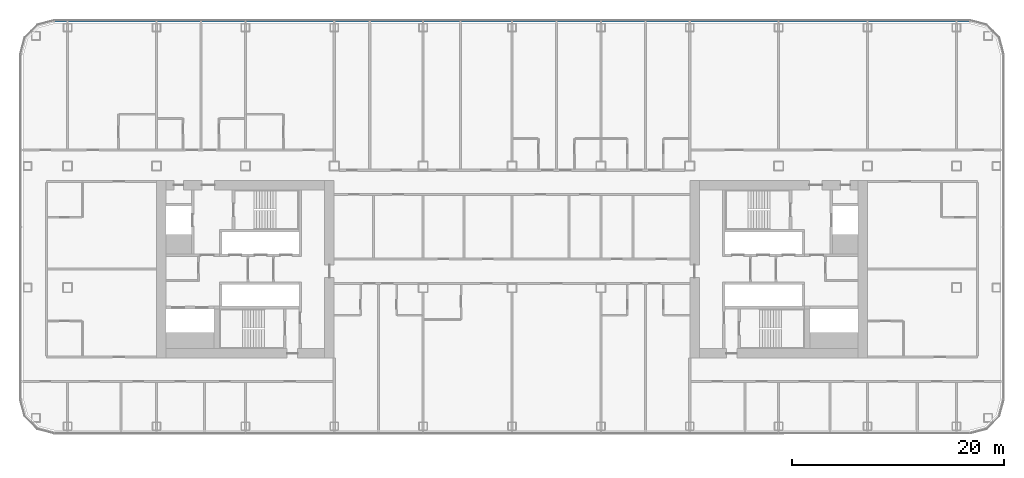
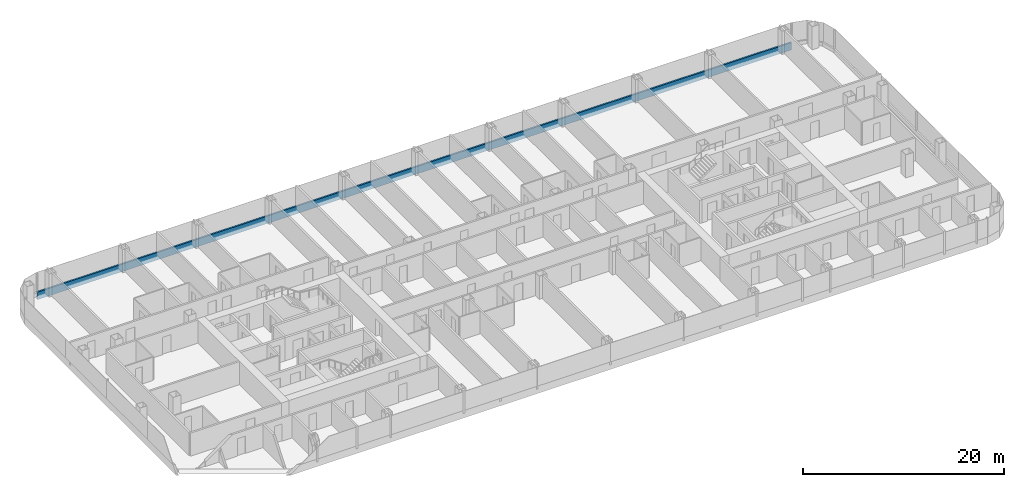
# One storey, part 9 of 29: 1 member, 1 element without a shape of its own.
"""IFC4 building model written with IfcOpenShell, lengths in metres."""

from ifc_helpers import new_model, si_unit, direction, frame, origin, origin_2d, place, context, subcontext, project, spatial, rectangle, extrude, material, layer, layer_set, material_profile, profile_set, type_object, element, aggregate, save


model = new_model("IFC4")

# Units and contexts
model_context = context("Model", 3, precision=1e-05, world=origin(), true_north=direction((0.0, 1.0)))
body_context = subcontext(model_context, "Body", "Model", "MODEL_VIEW")
ifc_project = project(units=[si_unit("LENGTHUNIT", "METRE"), si_unit("AREAUNIT", "SQUARE_METRE"), si_unit("VOLUMEUNIT", "CUBIC_METRE"), si_unit("PLANEANGLEUNIT", "RADIAN"), si_unit("MASSUNIT", "GRAM", prefix="KILO")], contexts=[model_context])

# Site, building, storey
site_placement = place(None, origin())
site = spatial("IfcSite", under=ifc_project, at=site_placement, CompositionType="ELEMENT")
building_placement = place(site_placement, origin())
building = spatial("IfcBuilding", under=site, at=building_placement, Name="Hakoniwa Tower and Hamabe Station Hall", CompositionType="ELEMENT")
storey_placement = place(building_placement, frame((0.0, 0.0, 78.60009765625)))
storey = spatial("IfcBuildingStorey", under=building, at=storey_placement, Name="L21", CompositionType="ELEMENT", Elevation=78.60009765625)

# Curtain wall, member
ifc_material_1 = material(Name="Dark low-e laminated glass", Category="glass")
ifc_layer = layer(ifc_material_1, 0.199951171875)
ifc_layer_set = layer_set([ifc_layer], Name="CW-1 UNITISED GUEST")
curtain_wall_type = type_object("IfcCurtainWallType", Name="CW-1 UNITISED GUEST", PredefinedType="NOTDEFINED", material=ifc_layer_set)
curtain_wall_placement = place(storey_placement, origin())
curtain_wall = element("IfcCurtainWall", 1, at=curtain_wall_placement, inside=storey, type_object=curtain_wall_type, Name="CW-1 curtain wall", PredefinedType="NOTDEFINED")
ifc_material_2 = material(Name="Aluminium 6063-T5 black anodised", Category="aluminium")
ifc_material_profile = material_profile(ifc_material_2, rectangle(XDim=0.199951171875, YDim=0.89990234375, at=origin_2d()), Name="CW SLAB-EDGE BAND 900X200")
ifc_profile_set = profile_set([ifc_material_profile], Name="Aluminium 6063-T5 black anodised")
member_type = type_object("IfcMemberType", Name="CW SLAB-EDGE BAND 900X200", PredefinedType="USERDEFINED", material=ifc_profile_set)
member_placement = place(storey_placement, frame((43.239501953125, 23.449951171875, -0.10009765625), z_axis=(-1.0, 0.0, 0.0), x_axis=(0.0, -1.0, 0.0)))
member = element("IfcMember", 2, at=member_placement, type_object=member_type, Name="CW-1 transom", ObjectType="TRANSOM", PredefinedType="USERDEFINED", context=body_context, shape_type="SweptSolid", body=[
    extrude(rectangle(XDim=0.199951171875, YDim=0.89990234375, at=origin_2d()), origin(), (0.0, 0.0, 1.0), 86.47900390625),
])
aggregate(curtain_wall, [member])

save(model, "model.ifc")
